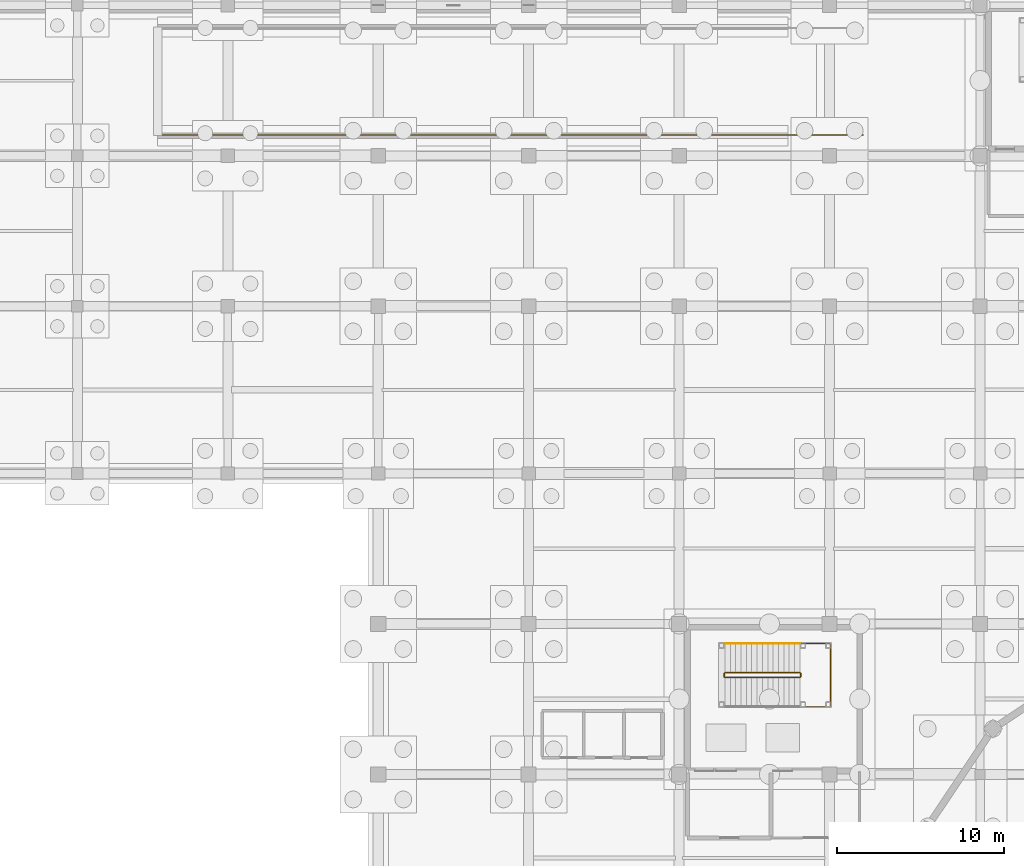
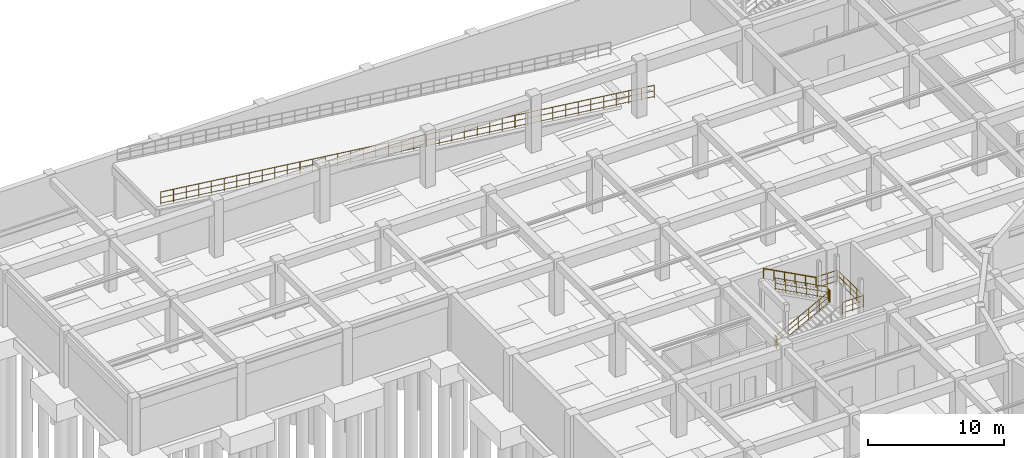
# One storey, part 57 of 62: 7 railings.
"""IFC4 building model written with IfcOpenShell, lengths in metres."""

from ifc_helpers import new_model, si_unit, direction, frame, origin, origin_2d, place, context, subcontext, project, spatial, circle, extrude, material, type_object, element, save


model = new_model("IFC4")

# Units and contexts
model_context = context("Model", 3, precision=1e-05, world=origin(), true_north=direction((0.0, 1.0)))
body_context = subcontext(model_context, "Body", "Model", "MODEL_VIEW")
ifc_project = project(units=[si_unit("LENGTHUNIT", "METRE"), si_unit("AREAUNIT", "SQUARE_METRE"), si_unit("VOLUMEUNIT", "CUBIC_METRE"), si_unit("PLANEANGLEUNIT", "RADIAN"), si_unit("MASSUNIT", "GRAM", prefix="KILO")], contexts=[model_context])

# Site, building, storey
site_placement = place(None, origin())
site = spatial("IfcSite", under=ifc_project, at=site_placement, CompositionType="ELEMENT")
building_placement = place(site_placement, origin())
building = spatial("IfcBuilding", under=site, at=building_placement, Name="Miravela Opera House", CompositionType="ELEMENT")
storey_placement = place(building_placement, frame((0.0, 0.0, -5.10009765625)))
storey = spatial("IfcBuildingStorey", under=building, at=storey_placement, Name="B01", CompositionType="ELEMENT", Elevation=-5.10009765625)

# Railings
ifc_material_1 = material(Name="Brushed bronze continuous stair handrail")
railing_type_1 = type_object("IfcRailingType", Name="ARC-RAIL-HAND-900", PredefinedType="HANDRAIL", material=ifc_material_1)
railing_1_placement = place(storey_placement, frame((52.219970703125, 73.830078125, 2.72021484375)))
element("IfcRailing", 1, at=railing_1_placement, inside=storey, type_object=railing_type_1, Name="B01 ST-01 stair handrail 2", PredefinedType="HANDRAIL", context=body_context, shape_type="SweptSolid", body=[
    extrude(circle(Radius=0.02392578125, at=origin_2d()), frame((0.0, 0.0, 0.8759765625), z_axis=(-0.883124442951, 0.0, 0.469138804899), x_axis=(0.0, -1.0, 0.0)), (0.0, 0.0, 1.0), 5.07275390625),
    extrude(circle(Radius=0.02099609375, at=origin_2d()), origin(), (0.0, 0.0, 1.0), 0.851806640625),
    extrude(circle(Radius=0.02099609375, at=origin_2d()), frame((-0.89599609375, 0.0, 0.47607421875)), (0.0, 0.0, 1.0), 0.851806640625),
    extrude(circle(Radius=0.02099609375, at=origin_2d()), frame((-1.7919921875, 0.0, 0.951904296875)), (0.0, 0.0, 1.0), 0.851806640625),
    extrude(circle(Radius=0.02099609375, at=origin_2d()), frame((-2.68798828125, 0.0, 1.427978515625)), (0.0, 0.0, 1.0), 0.851806640625),
    extrude(circle(Radius=0.02099609375, at=origin_2d()), frame((-3.583984375, 0.0, 1.90380859375)), (0.0, 0.0, 1.0), 0.851806640625),
    extrude(circle(Radius=0.02099609375, at=origin_2d()), frame((-4.47998046875, 0.0, 2.3798828125)), (0.0, 0.0, 1.0), 0.851806640625),
])
ifc_material_2 = material(Name="Galvanised steel fly-gallery safety guardrail", Category="steel")
railing_type_2 = type_object("IfcRailingType", Name="ARC-RAIL-STAGE-GUARD", PredefinedType="GUARDRAIL", material=ifc_material_2)
railing_2_placement = place(storey_placement, frame((56.0, 104.25, 0.0)))
element("IfcRailing", 2, at=railing_2_placement, inside=storey, type_object=railing_type_2, Name="Vehicle Ramp South Side Guard 0139", PredefinedType="GUARDRAIL", context=body_context, shape_type="SweptSolid", body=[
    extrude(circle(Radius=0.02392578125, at=origin_2d()), frame((0.0, 0.0, 1.1259765625), z_axis=(-0.992707815285, 0.0, 0.120545400049), x_axis=(0.0, -1.0, 0.0)), (0.0, 0.0, 1.0), 42.30859375),
    extrude(circle(Radius=0.01611328125, at=origin_2d()), frame((0.0, 0.0, 0.63232421875), z_axis=(-0.992707815285, 0.0, 0.120545400049), x_axis=(0.0, -1.0, 0.0)), (0.0, 0.0, 1.0), 42.30859375),
    extrude(circle(Radius=0.01611328125, at=origin_2d()), frame((0.0, 0.0, 0.1201171875), z_axis=(-0.992707815285, 0.0, 0.120545400049), x_axis=(0.0, -1.0, 0.0)), (0.0, 0.0, 1.0), 42.30859375),
    extrude(circle(Radius=0.02099609375, at=origin_2d()), origin(), (0.0, 0.0, 1.0), 1.101806640625),
    extrude(circle(Radius=0.02099609375, at=origin_2d()), frame((-1.076904296875, 0.0, 0.130859375)), (0.0, 0.0, 1.0), 1.101806640625),
    extrude(circle(Radius=0.02099609375, at=origin_2d()), frame((-2.15380859375, 0.0, 0.261474609375)), (0.0, 0.0, 1.0), 1.101806640625),
    extrude(circle(Radius=0.02099609375, at=origin_2d()), frame((-3.230712890625, 0.0, 0.392333984375)), (0.0, 0.0, 1.0), 1.101806640625),
    extrude(circle(Radius=0.02099609375, at=origin_2d()), frame((-4.3076171875, 0.0, 0.523193359375)), (0.0, 0.0, 1.0), 1.101806640625),
    extrude(circle(Radius=0.02099609375, at=origin_2d()), frame((-5.384521484375, 0.0, 0.65380859375)), (0.0, 0.0, 1.0), 1.101806640625),
    extrude(circle(Radius=0.02099609375, at=origin_2d()), frame((-6.46142578125, 0.0, 0.78466796875)), (0.0, 0.0, 1.0), 1.101806640625),
    extrude(circle(Radius=0.02099609375, at=origin_2d()), frame((-7.53857421875, 0.0, 0.915283203125)), (0.0, 0.0, 1.0), 1.101806640625),
    extrude(circle(Radius=0.02099609375, at=origin_2d()), frame((-8.615478515625, 0.0, 1.046142578125)), (0.0, 0.0, 1.0), 1.101806640625),
    extrude(circle(Radius=0.02099609375, at=origin_2d()), frame((-9.6923828125, 0.0, 1.177001953125)), (0.0, 0.0, 1.0), 1.101806640625),
    extrude(circle(Radius=0.02099609375, at=origin_2d()), frame((-10.769287109375, 0.0, 1.3076171875)), (0.0, 0.0, 1.0), 1.101806640625),
    extrude(circle(Radius=0.02099609375, at=origin_2d()), frame((-11.84619140625, 0.0, 1.4384765625)), (0.0, 0.0, 1.0), 1.101806640625),
    extrude(circle(Radius=0.02099609375, at=origin_2d()), frame((-12.923095703125, 0.0, 1.5693359375)), (0.0, 0.0, 1.0), 1.101806640625),
    extrude(circle(Radius=0.02099609375, at=origin_2d()), frame((-14.0, 0.0, 1.699951171875)), (0.0, 0.0, 1.0), 1.101806640625),
    extrude(circle(Radius=0.02099609375, at=origin_2d()), frame((-15.076904296875, 0.0, 1.830810546875)), (0.0, 0.0, 1.0), 1.101806640625),
    extrude(circle(Radius=0.02099609375, at=origin_2d()), frame((-16.15380859375, 0.0, 1.961669921875)), (0.0, 0.0, 1.0), 1.101806640625),
    extrude(circle(Radius=0.02099609375, at=origin_2d()), frame((-17.230712890625, 0.0, 2.09228515625)), (0.0, 0.0, 1.0), 1.101806640625),
    extrude(circle(Radius=0.02099609375, at=origin_2d()), frame((-18.3076171875, 0.0, 2.22314453125)), (0.0, 0.0, 1.0), 1.101806640625),
    extrude(circle(Radius=0.02099609375, at=origin_2d()), frame((-19.384521484375, 0.0, 2.35400390625)), (0.0, 0.0, 1.0), 1.101806640625),
    extrude(circle(Radius=0.02099609375, at=origin_2d()), frame((-20.46142578125, 0.0, 2.484619140625)), (0.0, 0.0, 1.0), 1.101806640625),
    extrude(circle(Radius=0.02099609375, at=origin_2d()), frame((-21.53857421875, 0.0, 2.615478515625)), (0.0, 0.0, 1.0), 1.101806640625),
    extrude(circle(Radius=0.02099609375, at=origin_2d()), frame((-22.615478515625, 0.0, 2.74609375)), (0.0, 0.0, 1.0), 1.101806640625),
    extrude(circle(Radius=0.02099609375, at=origin_2d()), frame((-23.6923828125, 0.0, 2.876953125)), (0.0, 0.0, 1.0), 1.101806640625),
    extrude(circle(Radius=0.02099609375, at=origin_2d()), frame((-24.769287109375, 0.0, 3.0078125)), (0.0, 0.0, 1.0), 1.101806640625),
    extrude(circle(Radius=0.02099609375, at=origin_2d()), frame((-25.84619140625, 0.0, 3.138427734375)), (0.0, 0.0, 1.0), 1.101806640625),
    extrude(circle(Radius=0.02099609375, at=origin_2d()), frame((-26.923095703125, 0.0, 3.269287109375)), (0.0, 0.0, 1.0), 1.101806640625),
    extrude(circle(Radius=0.02099609375, at=origin_2d()), frame((-28.0, 0.0, 3.400146484375)), (0.0, 0.0, 1.0), 1.101806640625),
    extrude(circle(Radius=0.02099609375, at=origin_2d()), frame((-29.076904296875, 0.0, 3.53076171875)), (0.0, 0.0, 1.0), 1.101806640625),
    extrude(circle(Radius=0.02099609375, at=origin_2d()), frame((-30.15380859375, 0.0, 3.66162109375)), (0.0, 0.0, 1.0), 1.101806640625),
    extrude(circle(Radius=0.02099609375, at=origin_2d()), frame((-31.230712890625, 0.0, 3.79248046875)), (0.0, 0.0, 1.0), 1.101806640625),
    extrude(circle(Radius=0.02099609375, at=origin_2d()), frame((-32.3076171875, 0.0, 3.923095703125)), (0.0, 0.0, 1.0), 1.101806640625),
    extrude(circle(Radius=0.02099609375, at=origin_2d()), frame((-33.384521484375, 0.0, 4.053955078125)), (0.0, 0.0, 1.0), 1.101806640625),
    extrude(circle(Radius=0.02099609375, at=origin_2d()), frame((-34.46142578125, 0.0, 4.184814453125)), (0.0, 0.0, 1.0), 1.101806640625),
    extrude(circle(Radius=0.02099609375, at=origin_2d()), frame((-35.53857421875, 0.0, 4.3154296875)), (0.0, 0.0, 1.0), 1.101806640625),
    extrude(circle(Radius=0.02099609375, at=origin_2d()), frame((-36.615478515625, 0.0, 4.4462890625)), (0.0, 0.0, 1.0), 1.101806640625),
    extrude(circle(Radius=0.02099609375, at=origin_2d()), frame((-37.6923828125, 0.0, 4.576904296875)), (0.0, 0.0, 1.0), 1.101806640625),
    extrude(circle(Radius=0.02099609375, at=origin_2d()), frame((-38.769287109375, 0.0, 4.707763671875)), (0.0, 0.0, 1.0), 1.101806640625),
    extrude(circle(Radius=0.02099609375, at=origin_2d()), frame((-39.84619140625, 0.0, 4.838623046875)), (0.0, 0.0, 1.0), 1.101806640625),
    extrude(circle(Radius=0.02099609375, at=origin_2d()), frame((-40.923095703125, 0.0, 4.96923828125)), (0.0, 0.0, 1.0), 1.101806640625),
    extrude(circle(Radius=0.02099609375, at=origin_2d()), frame((-42.0, 0.0, 5.10009765625)), (0.0, 0.0, 1.0), 1.101806640625),
])
ifc_material_3 = material(Name="Painted wrought-iron stair guardrail")
railing_type_3 = type_object("IfcRailingType", Name="ARC-RAIL-STAIR-GUARD", PredefinedType="GUARDRAIL", material=ifc_material_3)
railing_3_placement = place(storey_placement, frame((47.739990234375, 71.7900390625, 0.170166015625)))
element("IfcRailing", 3, at=railing_3_placement, inside=storey, type_object=railing_type_3, Name="B01 ST-01 stair guard 1", PredefinedType="GUARDRAIL", context=body_context, shape_type="SweptSolid", body=[
    extrude(circle(Radius=0.02392578125, at=origin_2d()), frame((0.0, 0.0, 1.076171875), z_axis=(0.883124442951, 0.0, 0.469138804899), x_axis=(0.0, 1.0, 0.0)), (0.0, 0.0, 1.0), 5.07275390625),
    extrude(circle(Radius=0.01611328125, at=origin_2d()), frame((0.0, 0.0, 0.60498046875), z_axis=(0.883124442951, 0.0, 0.469138804899), x_axis=(0.0, 1.0, 0.0)), (0.0, 0.0, 1.0), 5.07275390625),
    extrude(circle(Radius=0.01611328125, at=origin_2d()), frame((0.0, 0.0, 0.1201171875), z_axis=(0.883124442951, 0.0, 0.469138804899), x_axis=(0.0, 1.0, 0.0)), (0.0, 0.0, 1.0), 5.07275390625),
    extrude(circle(Radius=0.02099609375, at=origin_2d()), origin(), (0.0, 0.0, 1.0), 1.052001953125),
    extrude(circle(Radius=0.02099609375, at=origin_2d()), frame((0.89599609375, 0.0, 0.47607421875)), (0.0, 0.0, 1.0), 1.052001953125),
    extrude(circle(Radius=0.02099609375, at=origin_2d()), frame((1.7919921875, 0.0, 0.951904296875)), (0.0, 0.0, 1.0), 1.052001953125),
    extrude(circle(Radius=0.02099609375, at=origin_2d()), frame((2.68798828125, 0.0, 1.427978515625)), (0.0, 0.0, 1.0), 1.052001953125),
    extrude(circle(Radius=0.02099609375, at=origin_2d()), frame((3.583984375, 0.0, 1.90380859375)), (0.0, 0.0, 1.0), 1.052001953125),
    extrude(circle(Radius=0.02099609375, at=origin_2d()), frame((4.47998046875, 0.0, 2.3798828125)), (0.0, 0.0, 1.0), 1.052001953125),
])
railing_4_placement = place(storey_placement, frame((52.27001953125, 71.840087890625, 2.550048828125)))
element("IfcRailing", 4, at=railing_4_placement, inside=storey, type_object=railing_type_3, Name="B01 ST-01 stair guard 2", PredefinedType="GUARDRAIL", context=body_context, shape_type="SweptSolid", body=[
    extrude(circle(Radius=0.02392578125, at=origin_2d()), frame((0.0, 0.0, 1.076171875), z_axis=(0.0, 1.0, 0.0), x_axis=(-1.0, 0.0, 0.0)), (0.0, 0.0, 1.0), 0.199951171875),
    extrude(circle(Radius=0.01611328125, at=origin_2d()), frame((0.0, 0.0, 0.60498046875), z_axis=(0.0, 1.0, 0.0), x_axis=(-1.0, 0.0, 0.0)), (0.0, 0.0, 1.0), 0.199951171875),
    extrude(circle(Radius=0.01611328125, at=origin_2d()), frame((0.0, 0.0, 0.1201171875), z_axis=(0.0, 1.0, 0.0), x_axis=(-1.0, 0.0, 0.0)), (0.0, 0.0, 1.0), 0.199951171875),
    extrude(circle(Radius=0.02099609375, at=origin_2d()), origin(), (0.0, 0.0, 1.0), 1.052001953125),
    extrude(circle(Radius=0.02099609375, at=origin_2d()), frame((0.0, 0.199951171875, 0.0)), (0.0, 0.0, 1.0), 1.052001953125),
])
railing_5_placement = place(storey_placement, frame((52.219970703125, 72.090087890625, 2.72021484375)))
element("IfcRailing", 5, at=railing_5_placement, inside=storey, type_object=railing_type_3, Name="B01 ST-01 stair guard 3", PredefinedType="GUARDRAIL", context=body_context, shape_type="SweptSolid", body=[
    extrude(circle(Radius=0.02392578125, at=origin_2d()), frame((0.0, 0.0, 1.076171875), z_axis=(-0.883124442951, 0.0, 0.469138804899), x_axis=(0.0, -1.0, 0.0)), (0.0, 0.0, 1.0), 5.07275390625),
    extrude(circle(Radius=0.01611328125, at=origin_2d()), frame((0.0, 0.0, 0.60498046875), z_axis=(-0.883124442951, 0.0, 0.469138804899), x_axis=(0.0, -1.0, 0.0)), (0.0, 0.0, 1.0), 5.07275390625),
    extrude(circle(Radius=0.01611328125, at=origin_2d()), frame((0.0, 0.0, 0.1201171875), z_axis=(-0.883124442951, 0.0, 0.469138804899), x_axis=(0.0, -1.0, 0.0)), (0.0, 0.0, 1.0), 5.07275390625),
    extrude(circle(Radius=0.02099609375, at=origin_2d()), origin(), (0.0, 0.0, 1.0), 1.052001953125),
    extrude(circle(Radius=0.02099609375, at=origin_2d()), frame((-0.89599609375, 0.0, 0.47607421875)), (0.0, 0.0, 1.0), 1.052001953125),
    extrude(circle(Radius=0.02099609375, at=origin_2d()), frame((-1.7919921875, 0.0, 0.951904296875)), (0.0, 0.0, 1.0), 1.052001953125),
    extrude(circle(Radius=0.02099609375, at=origin_2d()), frame((-2.68798828125, 0.0, 1.427978515625)), (0.0, 0.0, 1.0), 1.052001953125),
    extrude(circle(Radius=0.02099609375, at=origin_2d()), frame((-3.583984375, 0.0, 1.90380859375)), (0.0, 0.0, 1.0), 1.052001953125),
    extrude(circle(Radius=0.02099609375, at=origin_2d()), frame((-4.47998046875, 0.0, 2.3798828125)), (0.0, 0.0, 1.0), 1.052001953125),
])
railing_6_placement = place(storey_placement, frame((47.68994140625, 71.840087890625, 0.0)))
element("IfcRailing", 6, at=railing_6_placement, inside=storey, type_object=railing_type_3, Name="B01 ST-01 stair guard 4", PredefinedType="GUARDRAIL", context=body_context, shape_type="SweptSolid", body=[
    extrude(circle(Radius=0.02392578125, at=origin_2d()), frame((0.0, 0.0, 1.076171875), z_axis=(0.0, 1.0, 0.0), x_axis=(-1.0, 0.0, 0.0)), (0.0, 0.0, 1.0), 0.199951171875),
    extrude(circle(Radius=0.01611328125, at=origin_2d()), frame((0.0, 0.0, 0.60498046875), z_axis=(0.0, 1.0, 0.0), x_axis=(-1.0, 0.0, 0.0)), (0.0, 0.0, 1.0), 0.199951171875),
    extrude(circle(Radius=0.01611328125, at=origin_2d()), frame((0.0, 0.0, 0.1201171875), z_axis=(0.0, 1.0, 0.0), x_axis=(-1.0, 0.0, 0.0)), (0.0, 0.0, 1.0), 0.199951171875),
    extrude(circle(Radius=0.02099609375, at=origin_2d()), origin(), (0.0, 0.0, 1.0), 1.052001953125),
    extrude(circle(Radius=0.02099609375, at=origin_2d()), frame((0.0, 0.199951171875, 0.0)), (0.0, 0.0, 1.0), 1.052001953125),
])
railing_7_placement = place(storey_placement, frame((52.27001953125, 70.050048828125, 2.550048828125)))
element("IfcRailing", 7, at=railing_7_placement, inside=storey, type_object=railing_type_3, Name="Stair ST-01 Half-Landing Perimeter Guard (B01) 0001", PredefinedType="GUARDRAIL", context=body_context, shape_type="SweptSolid", body=[
    extrude(circle(Radius=0.02392578125, at=origin_2d()), frame((0.0, 0.0, 1.076171875), z_axis=(1.0, 0.0, 0.0), x_axis=(0.0, 1.0, 0.0)), (0.0, 0.0, 1.0), 1.780029296875),
    extrude(circle(Radius=0.01611328125, at=origin_2d()), frame((0.0, 0.0, 0.60498046875), z_axis=(1.0, 0.0, 0.0), x_axis=(0.0, 1.0, 0.0)), (0.0, 0.0, 1.0), 1.780029296875),
    extrude(circle(Radius=0.01611328125, at=origin_2d()), frame((0.0, 0.0, 0.1201171875), z_axis=(1.0, 0.0, 0.0), x_axis=(0.0, 1.0, 0.0)), (0.0, 0.0, 1.0), 1.780029296875),
    extrude(circle(Radius=0.02392578125, at=origin_2d()), frame((1.780029296875, 0.0, 1.076171875), z_axis=(0.0, 1.0, 0.0), x_axis=(-1.0, 0.0, 0.0)), (0.0, 0.0, 1.0), 3.780029296875),
    extrude(circle(Radius=0.01611328125, at=origin_2d()), frame((1.780029296875, 0.0, 0.60498046875), z_axis=(0.0, 1.0, 0.0), x_axis=(-1.0, 0.0, 0.0)), (0.0, 0.0, 1.0), 3.780029296875),
    extrude(circle(Radius=0.01611328125, at=origin_2d()), frame((1.780029296875, 0.0, 0.1201171875), z_axis=(0.0, 1.0, 0.0), x_axis=(-1.0, 0.0, 0.0)), (0.0, 0.0, 1.0), 3.780029296875),
    extrude(circle(Radius=0.02392578125, at=origin_2d()), frame((1.780029296875, 3.780029296875, 1.076171875), z_axis=(-1.0, 0.0, 0.0), x_axis=(0.0, -1.0, 0.0)), (0.0, 0.0, 1.0), 1.780029296875),
    extrude(circle(Radius=0.01611328125, at=origin_2d()), frame((1.780029296875, 3.780029296875, 0.60498046875), z_axis=(-1.0, 0.0, 0.0), x_axis=(0.0, -1.0, 0.0)), (0.0, 0.0, 1.0), 1.780029296875),
    extrude(circle(Radius=0.01611328125, at=origin_2d()), frame((1.780029296875, 3.780029296875, 0.1201171875), z_axis=(-1.0, 0.0, 0.0), x_axis=(0.0, -1.0, 0.0)), (0.0, 0.0, 1.0), 1.780029296875),
    extrude(circle(Radius=0.02099609375, at=origin_2d()), origin(), (0.0, 0.0, 1.0), 1.052001953125),
    extrude(circle(Radius=0.02099609375, at=origin_2d()), frame((0.89013671875, 0.0, 0.0)), (0.0, 0.0, 1.0), 1.052001953125),
    extrude(circle(Radius=0.02099609375, at=origin_2d()), frame((1.780029296875, 0.0, 0.0)), (0.0, 0.0, 1.0), 1.052001953125),
    extrude(circle(Radius=0.02099609375, at=origin_2d()), frame((1.780029296875, 0.945068359375, 0.0)), (0.0, 0.0, 1.0), 1.052001953125),
    extrude(circle(Radius=0.02099609375, at=origin_2d()), frame((1.780029296875, 1.89013671875, 0.0)), (0.0, 0.0, 1.0), 1.052001953125),
    extrude(circle(Radius=0.02099609375, at=origin_2d()), frame((1.780029296875, 2.8349609375, 0.0)), (0.0, 0.0, 1.0), 1.052001953125),
    extrude(circle(Radius=0.02099609375, at=origin_2d()), frame((1.780029296875, 3.780029296875, 0.0)), (0.0, 0.0, 1.0), 1.052001953125),
    extrude(circle(Radius=0.02099609375, at=origin_2d()), frame((0.89013671875, 3.780029296875, 0.0)), (0.0, 0.0, 1.0), 1.052001953125),
    extrude(circle(Radius=0.02099609375, at=origin_2d()), frame((0.0, 3.780029296875, 0.0)), (0.0, 0.0, 1.0), 1.052001953125),
])

save(model, "model.ifc")
